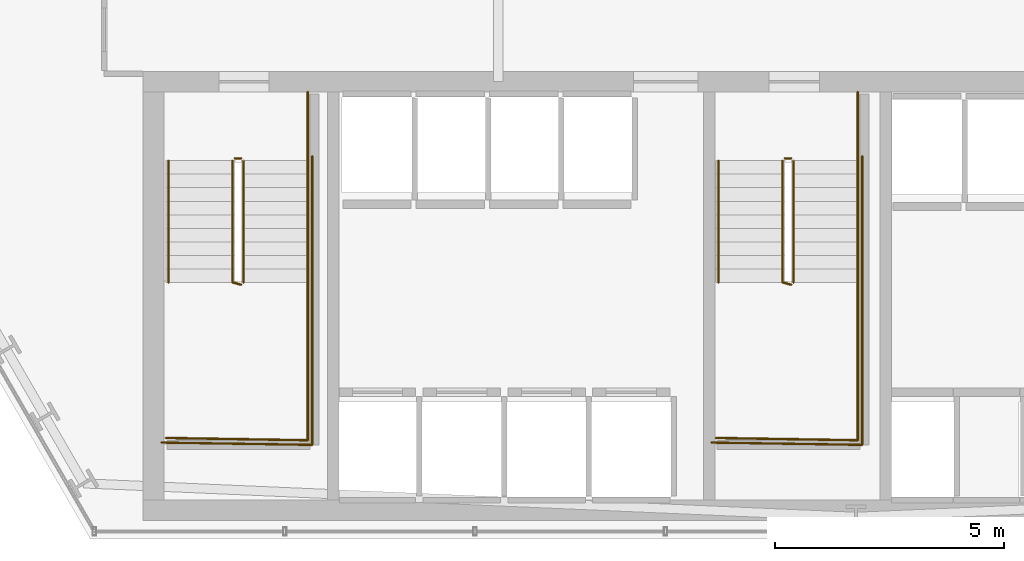
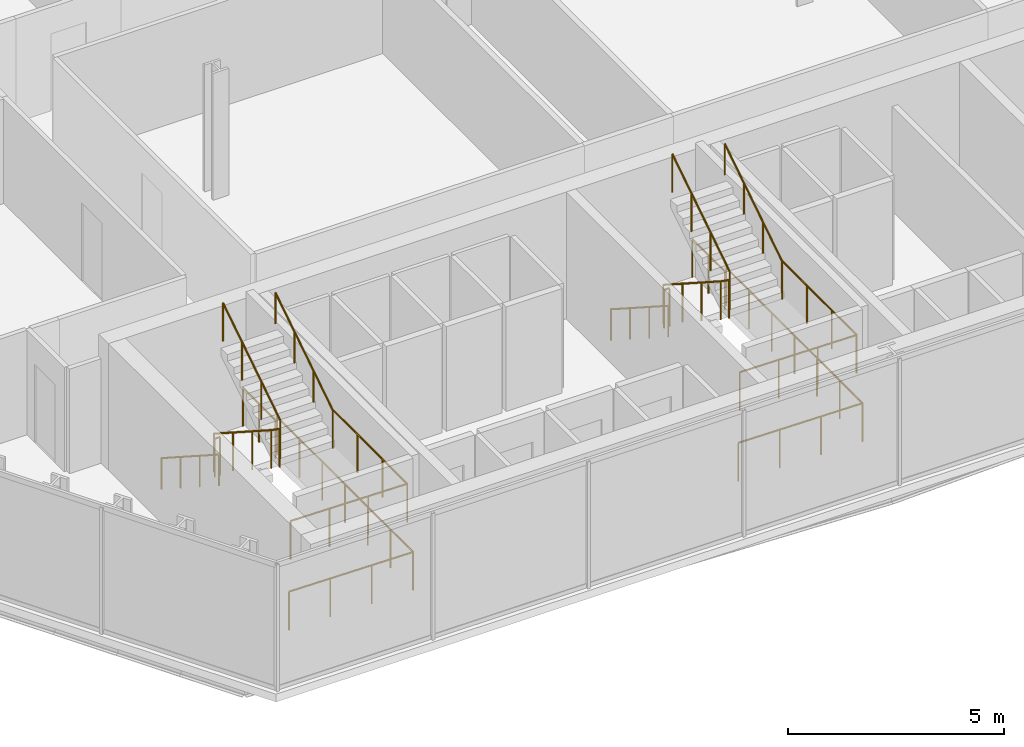
# One storey, part 30 of 32: 16 railings.
"""IFC4 building model written with IfcOpenShell, lengths in metres."""

from ifc_helpers import new_model, si_unit, direction, frame, origin, origin_2d, place, context, subcontext, project, spatial, circle, extrude, material, layer, layer_set, type_object, element, save


model = new_model("IFC4")

# Units and contexts
model_context = context("Model", 3, precision=1e-05, world=origin(), true_north=direction((0.0, 1.0)))
body_context = subcontext(model_context, "Body", "Model", "MODEL_VIEW")
ifc_project = project(units=[si_unit("LENGTHUNIT", "METRE"), si_unit("AREAUNIT", "SQUARE_METRE"), si_unit("VOLUMEUNIT", "CUBIC_METRE"), si_unit("PLANEANGLEUNIT", "RADIAN"), si_unit("MASSUNIT", "GRAM", prefix="KILO")], contexts=[model_context])

# Site, building, storey
site_placement = place(None, origin())
site = spatial("IfcSite", under=ifc_project, at=site_placement, CompositionType="ELEMENT")
building_placement = place(site_placement, origin())
building = spatial("IfcBuilding", under=site, at=building_placement, Name="Ndaravel Arena Tower", CompositionType="ELEMENT")
storey_placement = place(building_placement, frame((0.0, 0.0, 93.0)))
storey = spatial("IfcBuildingStorey", under=building, at=storey_placement, Name="L21", CompositionType="ELEMENT", Elevation=93.0)

# Railings
ifc_material_1 = material(Name="Steel S355", Category="steel")
ifc_layer_1 = layer(ifc_material_1, 0.06005859375)
ifc_layer_set_1 = layer_set([ifc_layer_1], Name="Steel S355")
railing_type_1 = type_object("IfcRailingType", Name="RAIL-STAIR-GD1100", PredefinedType="GUARDRAIL", material=ifc_layer_set_1)
railing_1_placement = place(storey_placement, frame((28.39990234375, 13.25, 0.18994140625)))
element("IfcRailing", 1, at=railing_1_placement, inside=storey, type_object=railing_type_1, Name="L21 ST-1 stair guard 1", PredefinedType="GUARDRAIL", context=body_context, shape_type="SweptSolid", body=[
    extrude(circle(Radius=0.02392578125, at=origin_2d()), frame((0.0, 0.0, 1.076171875), z_axis=(0.0, -0.840723540582, 0.54146461409), x_axis=(1.0, 0.0, 0.0)), (0.0, 0.0, 1.0), 3.157958984375),
    extrude(circle(Radius=0.02392578125, at=origin_2d()), frame((0.0, -2.655029296875, 2.7861328125), z_axis=(0.967074537263, -0.25449329928, 0.0), x_axis=(0.25449329928, 0.967074537263, 0.0)), (0.0, 0.0, 1.0), 0.19677734375),
    extrude(circle(Radius=0.02099609375, at=origin_2d()), origin(), (0.0, 0.0, 1.0), 1.052001953125),
    extrude(circle(Radius=0.02099609375, at=origin_2d()), frame((0.0, -0.885009765625, 0.570068359375)), (0.0, 0.0, 1.0), 1.052001953125),
    extrude(circle(Radius=0.02099609375, at=origin_2d()), frame((0.0, -1.77001953125, 1.139892578125)), (0.0, 0.0, 1.0), 1.052001953125),
    extrude(circle(Radius=0.02099609375, at=origin_2d()), frame((0.0, -2.655029296875, 1.7099609375)), (0.0, 0.0, 1.0), 1.052001953125),
    extrude(circle(Radius=0.02099609375, at=origin_2d()), frame((0.190185546875, -2.705078125, 1.7099609375)), (0.0, 0.0, 1.0), 1.052001953125),
])
railing_2_placement = place(storey_placement, frame((30.0400390625, 10.594970703125, 1.89990234375)))
element("IfcRailing", 2, at=railing_2_placement, inside=storey, type_object=railing_type_1, Name="L21 ST-1 stair guard 2", PredefinedType="GUARDRAIL", context=body_context, shape_type="SweptSolid", body=[
    extrude(circle(Radius=0.02392578125, at=origin_2d()), frame((0.0, 0.0, 1.076171875), z_axis=(0.0, -1.0, 0.0), x_axis=(1.0, 0.0, 0.0)), (0.0, 0.0, 1.0), 3.445068359375),
    extrude(circle(Radius=0.02392578125, at=origin_2d()), frame((0.0, -3.445068359375, 1.076171875), z_axis=(-0.999868861343, 0.016194447071, 0.0), x_axis=(-0.016194447071, -0.999868861343, 0.0)), (0.0, 0.0, 1.0), 3.090576171875),
    extrude(circle(Radius=0.02099609375, at=origin_2d()), origin(), (0.0, 0.0, 1.0), 1.052001953125),
    extrude(circle(Radius=0.02099609375, at=origin_2d()), frame((0.0, -1.1484375, 0.0)), (0.0, 0.0, 1.0), 1.052001953125),
    extrude(circle(Radius=0.02099609375, at=origin_2d()), frame((0.0, -2.296630859375, 0.0)), (0.0, 0.0, 1.0), 1.052001953125),
    extrude(circle(Radius=0.02099609375, at=origin_2d()), frame((0.0, -3.445068359375, 0.0)), (0.0, 0.0, 1.0), 1.052001953125),
    extrude(circle(Radius=0.02099609375, at=origin_2d()), frame((-1.030029296875, -3.428466796875, 0.0)), (0.0, 0.0, 1.0), 1.052001953125),
    extrude(circle(Radius=0.02099609375, at=origin_2d()), frame((-2.06005859375, -3.41162109375, 0.0)), (0.0, 0.0, 1.0), 1.052001953125),
    extrude(circle(Radius=0.02099609375, at=origin_2d()), frame((-3.090087890625, -3.39501953125, 0.0)), (0.0, 0.0, 1.0), 1.052001953125),
])
railing_3_placement = place(storey_placement, frame((28.639892578125, 10.594970703125, 2.090087890625)))
element("IfcRailing", 3, at=railing_3_placement, inside=storey, type_object=railing_type_1, Name="L21 ST-1 stair guard 3", PredefinedType="GUARDRAIL", context=body_context, shape_type="SweptSolid", body=[
    extrude(circle(Radius=0.02392578125, at=origin_2d()), frame((0.0, 0.0, 1.076171875), z_axis=(0.0, 0.840723540582, 0.54146461409), x_axis=(-1.0, 0.0, 0.0)), (0.0, 0.0, 1.0), 3.157958984375),
    extrude(circle(Radius=0.02099609375, at=origin_2d()), origin(), (0.0, 0.0, 1.0), 1.052001953125),
    extrude(circle(Radius=0.02099609375, at=origin_2d()), frame((0.0, 0.885009765625, 0.570068359375)), (0.0, 0.0, 1.0), 1.052001953125),
    extrude(circle(Radius=0.02099609375, at=origin_2d()), frame((0.0, 1.77001953125, 1.139892578125)), (0.0, 0.0, 1.0), 1.052001953125),
    extrude(circle(Radius=0.02099609375, at=origin_2d()), frame((0.0, 2.655029296875, 1.7099609375)), (0.0, 0.0, 1.0), 1.052001953125),
])
railing_4_placement = place(storey_placement, frame((28.449951171875, 13.300048828125, 0.0)))
element("IfcRailing", 4, at=railing_4_placement, inside=storey, type_object=railing_type_1, Name="L21 ST-1 stair guard 4", PredefinedType="GUARDRAIL", context=body_context, shape_type="SweptSolid", body=[
    extrude(circle(Radius=0.02392578125, at=origin_2d()), frame((0.0, 0.0, 1.076171875), z_axis=(1.0, 0.0, 0.0), x_axis=(0.0, 1.0, 0.0)), (0.0, 0.0, 1.0), 0.14013671875),
    extrude(circle(Radius=0.02099609375, at=origin_2d()), origin(), (0.0, 0.0, 1.0), 1.052001953125),
    extrude(circle(Radius=0.02099609375, at=origin_2d()), frame((0.14013671875, 0.0, 0.0)), (0.0, 0.0, 1.0), 1.052001953125),
])
railing_5_placement = place(storey_placement, frame((30.0400390625, 14.75, 0.0)))
element("IfcRailing", 5, at=railing_5_placement, inside=storey, type_object=railing_type_1, Name="L21 ST-1 stair guard 5", PredefinedType="GUARDRAIL", context=body_context, shape_type="SweptSolid", body=[
    extrude(circle(Radius=0.02392578125, at=origin_2d()), frame((0.0, 0.0, 1.076171875), z_axis=(0.0, -1.0, 0.0), x_axis=(1.0, 0.0, 0.0)), (0.0, 0.0, 1.0), 1.5),
    extrude(circle(Radius=0.02099609375, at=origin_2d()), origin(), (0.0, 0.0, 1.0), 1.052001953125),
    extrude(circle(Radius=0.02099609375, at=origin_2d()), frame((0.0, -0.75, 0.0)), (0.0, 0.0, 1.0), 1.052001953125),
    extrude(circle(Radius=0.02099609375, at=origin_2d()), frame((0.0, -1.5, 0.0)), (0.0, 0.0, 1.0), 1.052001953125),
])
railing_6_placement = place(storey_placement, frame((30.139892578125, 13.35009765625, 0.0)))
element("IfcRailing", 6, at=railing_6_placement, inside=storey, type_object=railing_type_1, Name="L21 ST-1 stair guard 6", PredefinedType="GUARDRAIL", context=body_context, shape_type="SweptSolid", body=[
    extrude(circle(Radius=0.02392578125, at=origin_2d()), frame((0.0, 0.0, 1.076171875), z_axis=(0.0, -1.0, 0.0), x_axis=(1.0, 0.0, 0.0)), (0.0, 0.0, 1.0), 6.300048828125),
    extrude(circle(Radius=0.02392578125, at=origin_2d()), frame((0.0, -6.300048828125, 1.076171875), z_axis=(-0.999884296952, 0.015211597839, 0.0), x_axis=(-0.015211597839, -0.999884296952, 0.0)), (0.0, 0.0, 1.0), 3.290283203125),
    extrude(circle(Radius=0.02099609375, at=origin_2d()), origin(), (0.0, 0.0, 1.0), 1.052001953125),
    extrude(circle(Radius=0.02099609375, at=origin_2d()), frame((0.0, -1.050048828125, 0.0)), (0.0, 0.0, 1.0), 1.052001953125),
    extrude(circle(Radius=0.02099609375, at=origin_2d()), frame((0.0, -2.10009765625, 0.0)), (0.0, 0.0, 1.0), 1.052001953125),
    extrude(circle(Radius=0.02099609375, at=origin_2d()), frame((0.0, -3.14990234375, 0.0)), (0.0, 0.0, 1.0), 1.052001953125),
    extrude(circle(Radius=0.02099609375, at=origin_2d()), frame((0.0, -4.199951171875, 0.0)), (0.0, 0.0, 1.0), 1.052001953125),
    extrude(circle(Radius=0.02099609375, at=origin_2d()), frame((0.0, -5.25, 0.0)), (0.0, 0.0, 1.0), 1.052001953125),
    extrude(circle(Radius=0.02099609375, at=origin_2d()), frame((0.0, -6.300048828125, 0.0)), (0.0, 0.0, 1.0), 1.052001953125),
    extrude(circle(Radius=0.02099609375, at=origin_2d()), frame((-1.0966796875, -6.283447265625, 0.0)), (0.0, 0.0, 1.0), 1.052001953125),
    extrude(circle(Radius=0.02099609375, at=origin_2d()), frame((-2.193115234375, -6.2666015625, 0.0)), (0.0, 0.0, 1.0), 1.052001953125),
    extrude(circle(Radius=0.02099609375, at=origin_2d()), frame((-3.289794921875, -6.25, 0.0)), (0.0, 0.0, 1.0), 1.052001953125),
])
railing_7_placement = place(storey_placement, frame((40.39990234375, 13.25, 0.18994140625)))
element("IfcRailing", 7, at=railing_7_placement, inside=storey, type_object=railing_type_1, Name="L21 ST-2 stair guard 1", PredefinedType="GUARDRAIL", context=body_context, shape_type="SweptSolid", body=[
    extrude(circle(Radius=0.02392578125, at=origin_2d()), frame((0.0, 0.0, 1.076171875), z_axis=(0.0, -0.840723540582, 0.54146461409), x_axis=(1.0, 0.0, 0.0)), (0.0, 0.0, 1.0), 3.157958984375),
    extrude(circle(Radius=0.02392578125, at=origin_2d()), frame((0.0, -2.655029296875, 2.7861328125), z_axis=(0.967074537263, -0.25449329928, 0.0), x_axis=(0.25449329928, 0.967074537263, 0.0)), (0.0, 0.0, 1.0), 0.19677734375),
    extrude(circle(Radius=0.02099609375, at=origin_2d()), origin(), (0.0, 0.0, 1.0), 1.052001953125),
    extrude(circle(Radius=0.02099609375, at=origin_2d()), frame((0.0, -0.885009765625, 0.570068359375)), (0.0, 0.0, 1.0), 1.052001953125),
    extrude(circle(Radius=0.02099609375, at=origin_2d()), frame((0.0, -1.77001953125, 1.139892578125)), (0.0, 0.0, 1.0), 1.052001953125),
    extrude(circle(Radius=0.02099609375, at=origin_2d()), frame((0.0, -2.655029296875, 1.7099609375)), (0.0, 0.0, 1.0), 1.052001953125),
    extrude(circle(Radius=0.02099609375, at=origin_2d()), frame((0.190185546875, -2.705078125, 1.7099609375)), (0.0, 0.0, 1.0), 1.052001953125),
])
railing_8_placement = place(storey_placement, frame((42.0400390625, 10.594970703125, 1.89990234375)))
element("IfcRailing", 8, at=railing_8_placement, inside=storey, type_object=railing_type_1, Name="L21 ST-2 stair guard 2", PredefinedType="GUARDRAIL", context=body_context, shape_type="SweptSolid", body=[
    extrude(circle(Radius=0.02392578125, at=origin_2d()), frame((0.0, 0.0, 1.076171875), z_axis=(0.0, -1.0, 0.0), x_axis=(1.0, 0.0, 0.0)), (0.0, 0.0, 1.0), 3.445068359375),
    extrude(circle(Radius=0.02392578125, at=origin_2d()), frame((0.0, -3.445068359375, 1.076171875), z_axis=(-0.999868861343, 0.016194447071, 0.0), x_axis=(-0.016194447071, -0.999868861343, 0.0)), (0.0, 0.0, 1.0), 3.090576171875),
    extrude(circle(Radius=0.02099609375, at=origin_2d()), origin(), (0.0, 0.0, 1.0), 1.052001953125),
    extrude(circle(Radius=0.02099609375, at=origin_2d()), frame((0.0, -1.1484375, 0.0)), (0.0, 0.0, 1.0), 1.052001953125),
    extrude(circle(Radius=0.02099609375, at=origin_2d()), frame((0.0, -2.296630859375, 0.0)), (0.0, 0.0, 1.0), 1.052001953125),
    extrude(circle(Radius=0.02099609375, at=origin_2d()), frame((0.0, -3.445068359375, 0.0)), (0.0, 0.0, 1.0), 1.052001953125),
    extrude(circle(Radius=0.02099609375, at=origin_2d()), frame((-1.030029296875, -3.428466796875, 0.0)), (0.0, 0.0, 1.0), 1.052001953125),
    extrude(circle(Radius=0.02099609375, at=origin_2d()), frame((-2.06005859375, -3.41162109375, 0.0)), (0.0, 0.0, 1.0), 1.052001953125),
    extrude(circle(Radius=0.02099609375, at=origin_2d()), frame((-3.090087890625, -3.39501953125, 0.0)), (0.0, 0.0, 1.0), 1.052001953125),
])
railing_9_placement = place(storey_placement, frame((40.639892578125, 10.594970703125, 2.090087890625)))
element("IfcRailing", 9, at=railing_9_placement, inside=storey, type_object=railing_type_1, Name="L21 ST-2 stair guard 3", PredefinedType="GUARDRAIL", context=body_context, shape_type="SweptSolid", body=[
    extrude(circle(Radius=0.02392578125, at=origin_2d()), frame((0.0, 0.0, 1.076171875), z_axis=(0.0, 0.840723540582, 0.54146461409), x_axis=(-1.0, 0.0, 0.0)), (0.0, 0.0, 1.0), 3.157958984375),
    extrude(circle(Radius=0.02099609375, at=origin_2d()), origin(), (0.0, 0.0, 1.0), 1.052001953125),
    extrude(circle(Radius=0.02099609375, at=origin_2d()), frame((0.0, 0.885009765625, 0.570068359375)), (0.0, 0.0, 1.0), 1.052001953125),
    extrude(circle(Radius=0.02099609375, at=origin_2d()), frame((0.0, 1.77001953125, 1.139892578125)), (0.0, 0.0, 1.0), 1.052001953125),
    extrude(circle(Radius=0.02099609375, at=origin_2d()), frame((0.0, 2.655029296875, 1.7099609375)), (0.0, 0.0, 1.0), 1.052001953125),
])
railing_10_placement = place(storey_placement, frame((40.449951171875, 13.300048828125, 0.0)))
element("IfcRailing", 10, at=railing_10_placement, inside=storey, type_object=railing_type_1, Name="L21 ST-2 stair guard 4", PredefinedType="GUARDRAIL", context=body_context, shape_type="SweptSolid", body=[
    extrude(circle(Radius=0.02392578125, at=origin_2d()), frame((0.0, 0.0, 1.076171875), z_axis=(1.0, 0.0, 0.0), x_axis=(0.0, 1.0, 0.0)), (0.0, 0.0, 1.0), 0.14013671875),
    extrude(circle(Radius=0.02099609375, at=origin_2d()), origin(), (0.0, 0.0, 1.0), 1.052001953125),
    extrude(circle(Radius=0.02099609375, at=origin_2d()), frame((0.14013671875, 0.0, 0.0)), (0.0, 0.0, 1.0), 1.052001953125),
])
railing_11_placement = place(storey_placement, frame((42.0400390625, 14.75, 0.0)))
element("IfcRailing", 11, at=railing_11_placement, inside=storey, type_object=railing_type_1, Name="L21 ST-2 stair guard 5", PredefinedType="GUARDRAIL", context=body_context, shape_type="SweptSolid", body=[
    extrude(circle(Radius=0.02392578125, at=origin_2d()), frame((0.0, 0.0, 1.076171875), z_axis=(0.0, -1.0, 0.0), x_axis=(1.0, 0.0, 0.0)), (0.0, 0.0, 1.0), 1.5),
    extrude(circle(Radius=0.02099609375, at=origin_2d()), origin(), (0.0, 0.0, 1.0), 1.052001953125),
    extrude(circle(Radius=0.02099609375, at=origin_2d()), frame((0.0, -0.75, 0.0)), (0.0, 0.0, 1.0), 1.052001953125),
    extrude(circle(Radius=0.02099609375, at=origin_2d()), frame((0.0, -1.5, 0.0)), (0.0, 0.0, 1.0), 1.052001953125),
])
railing_12_placement = place(storey_placement, frame((42.139892578125, 13.35009765625, 0.0)))
element("IfcRailing", 12, at=railing_12_placement, inside=storey, type_object=railing_type_1, Name="L21 ST-2 stair guard 6", PredefinedType="GUARDRAIL", context=body_context, shape_type="SweptSolid", body=[
    extrude(circle(Radius=0.02392578125, at=origin_2d()), frame((0.0, 0.0, 1.076171875), z_axis=(0.0, -1.0, 0.0), x_axis=(1.0, 0.0, 0.0)), (0.0, 0.0, 1.0), 6.300048828125),
    extrude(circle(Radius=0.02392578125, at=origin_2d()), frame((0.0, -6.300048828125, 1.076171875), z_axis=(-0.999884296952, 0.015211597839, 0.0), x_axis=(-0.015211597839, -0.999884296952, 0.0)), (0.0, 0.0, 1.0), 3.290283203125),
    extrude(circle(Radius=0.02099609375, at=origin_2d()), origin(), (0.0, 0.0, 1.0), 1.052001953125),
    extrude(circle(Radius=0.02099609375, at=origin_2d()), frame((0.0, -1.050048828125, 0.0)), (0.0, 0.0, 1.0), 1.052001953125),
    extrude(circle(Radius=0.02099609375, at=origin_2d()), frame((0.0, -2.10009765625, 0.0)), (0.0, 0.0, 1.0), 1.052001953125),
    extrude(circle(Radius=0.02099609375, at=origin_2d()), frame((0.0, -3.14990234375, 0.0)), (0.0, 0.0, 1.0), 1.052001953125),
    extrude(circle(Radius=0.02099609375, at=origin_2d()), frame((0.0, -4.199951171875, 0.0)), (0.0, 0.0, 1.0), 1.052001953125),
    extrude(circle(Radius=0.02099609375, at=origin_2d()), frame((0.0, -5.25, 0.0)), (0.0, 0.0, 1.0), 1.052001953125),
    extrude(circle(Radius=0.02099609375, at=origin_2d()), frame((0.0, -6.300048828125, 0.0)), (0.0, 0.0, 1.0), 1.052001953125),
    extrude(circle(Radius=0.02099609375, at=origin_2d()), frame((-1.0966796875, -6.283447265625, 0.0)), (0.0, 0.0, 1.0), 1.052001953125),
    extrude(circle(Radius=0.02099609375, at=origin_2d()), frame((-2.193115234375, -6.2666015625, 0.0)), (0.0, 0.0, 1.0), 1.052001953125),
    extrude(circle(Radius=0.02099609375, at=origin_2d()), frame((-3.289794921875, -6.25, 0.0)), (0.0, 0.0, 1.0), 1.052001953125),
])
ifc_material_2 = material(Name="Steel S355", Category="steel")
ifc_layer_2 = layer(ifc_material_2, 0.050048828125)
ifc_layer_set_2 = layer_set([ifc_layer_2], Name="Steel S355")
railing_type_2 = type_object("IfcRailingType", Name="RAIL-STAIR-HR920", PredefinedType="HANDRAIL", material=ifc_layer_set_2)
railing_13_placement = place(storey_placement, frame((27.0, 13.25, 0.18994140625)))
element("IfcRailing", 13, at=railing_13_placement, inside=storey, type_object=railing_type_2, Name="L21 ST-1 stair handrail 1", PredefinedType="HANDRAIL", context=body_context, shape_type="SweptSolid", body=[
    extrude(circle(Radius=0.02392578125, at=origin_2d()), frame((0.0, 0.0, 0.8759765625), z_axis=(0.0, -0.840723540582, 0.54146461409), x_axis=(1.0, 0.0, 0.0)), (0.0, 0.0, 1.0), 3.157958984375),
    extrude(circle(Radius=0.02099609375, at=origin_2d()), origin(), (0.0, 0.0, 1.0), 0.851806640625),
    extrude(circle(Radius=0.02099609375, at=origin_2d()), frame((0.0, -0.885009765625, 0.570068359375)), (0.0, 0.0, 1.0), 0.851806640625),
    extrude(circle(Radius=0.02099609375, at=origin_2d()), frame((0.0, -1.77001953125, 1.139892578125)), (0.0, 0.0, 1.0), 0.851806640625),
    extrude(circle(Radius=0.02099609375, at=origin_2d()), frame((0.0, -2.655029296875, 1.7099609375)), (0.0, 0.0, 1.0), 0.851806640625),
])
railing_14_placement = place(storey_placement, frame((30.0400390625, 10.594970703125, 2.090087890625)))
element("IfcRailing", 14, at=railing_14_placement, inside=storey, type_object=railing_type_2, Name="L21 ST-1 stair handrail 2", PredefinedType="HANDRAIL", context=body_context, shape_type="SweptSolid", body=[
    extrude(circle(Radius=0.02392578125, at=origin_2d()), frame((0.0, 0.0, 0.8759765625), z_axis=(0.0, 0.840723540582, 0.54146461409), x_axis=(-1.0, 0.0, 0.0)), (0.0, 0.0, 1.0), 3.157958984375),
    extrude(circle(Radius=0.02099609375, at=origin_2d()), origin(), (0.0, 0.0, 1.0), 0.851806640625),
    extrude(circle(Radius=0.02099609375, at=origin_2d()), frame((0.0, 0.885009765625, 0.570068359375)), (0.0, 0.0, 1.0), 0.851806640625),
    extrude(circle(Radius=0.02099609375, at=origin_2d()), frame((0.0, 1.77001953125, 1.139892578125)), (0.0, 0.0, 1.0), 0.851806640625),
    extrude(circle(Radius=0.02099609375, at=origin_2d()), frame((0.0, 2.655029296875, 1.7099609375)), (0.0, 0.0, 1.0), 0.851806640625),
])
railing_15_placement = place(storey_placement, frame((39.0, 13.25, 0.18994140625)))
element("IfcRailing", 15, at=railing_15_placement, inside=storey, type_object=railing_type_2, Name="L21 ST-2 stair handrail 1", PredefinedType="HANDRAIL", context=body_context, shape_type="SweptSolid", body=[
    extrude(circle(Radius=0.02392578125, at=origin_2d()), frame((0.0, 0.0, 0.8759765625), z_axis=(0.0, -0.840723540582, 0.54146461409), x_axis=(1.0, 0.0, 0.0)), (0.0, 0.0, 1.0), 3.157958984375),
    extrude(circle(Radius=0.02099609375, at=origin_2d()), origin(), (0.0, 0.0, 1.0), 0.851806640625),
    extrude(circle(Radius=0.02099609375, at=origin_2d()), frame((0.0, -0.885009765625, 0.570068359375)), (0.0, 0.0, 1.0), 0.851806640625),
    extrude(circle(Radius=0.02099609375, at=origin_2d()), frame((0.0, -1.77001953125, 1.139892578125)), (0.0, 0.0, 1.0), 0.851806640625),
    extrude(circle(Radius=0.02099609375, at=origin_2d()), frame((0.0, -2.655029296875, 1.7099609375)), (0.0, 0.0, 1.0), 0.851806640625),
])
railing_16_placement = place(storey_placement, frame((42.0400390625, 10.594970703125, 2.090087890625)))
element("IfcRailing", 16, at=railing_16_placement, inside=storey, type_object=railing_type_2, Name="L21 ST-2 stair handrail 2", PredefinedType="HANDRAIL", context=body_context, shape_type="SweptSolid", body=[
    extrude(circle(Radius=0.02392578125, at=origin_2d()), frame((0.0, 0.0, 0.8759765625), z_axis=(0.0, 0.840723540582, 0.54146461409), x_axis=(-1.0, 0.0, 0.0)), (0.0, 0.0, 1.0), 3.157958984375),
    extrude(circle(Radius=0.02099609375, at=origin_2d()), origin(), (0.0, 0.0, 1.0), 0.851806640625),
    extrude(circle(Radius=0.02099609375, at=origin_2d()), frame((0.0, 0.885009765625, 0.570068359375)), (0.0, 0.0, 1.0), 0.851806640625),
    extrude(circle(Radius=0.02099609375, at=origin_2d()), frame((0.0, 1.77001953125, 1.139892578125)), (0.0, 0.0, 1.0), 0.851806640625),
    extrude(circle(Radius=0.02099609375, at=origin_2d()), frame((0.0, 2.655029296875, 1.7099609375)), (0.0, 0.0, 1.0), 0.851806640625),
])

save(model, "model.ifc")
